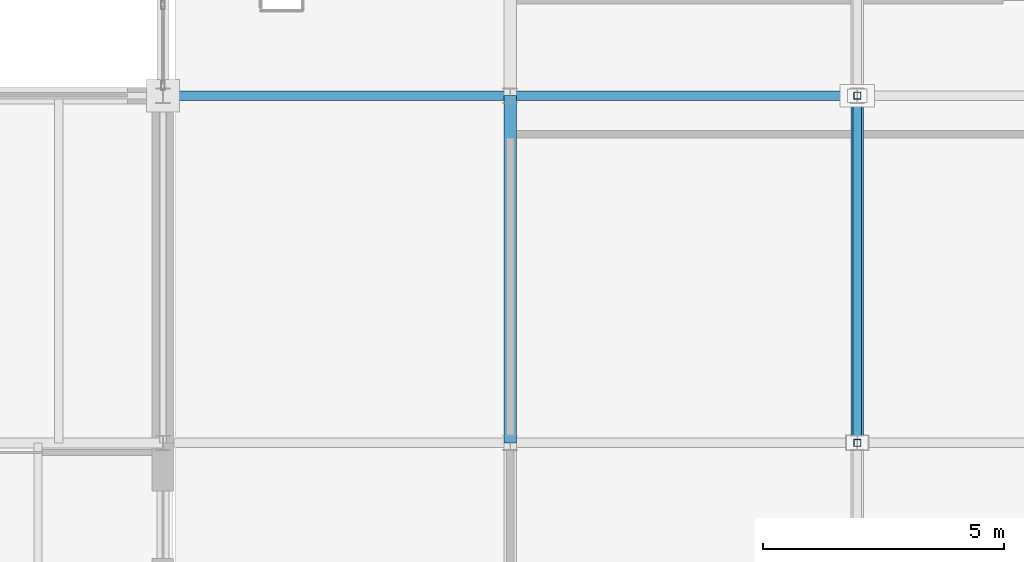
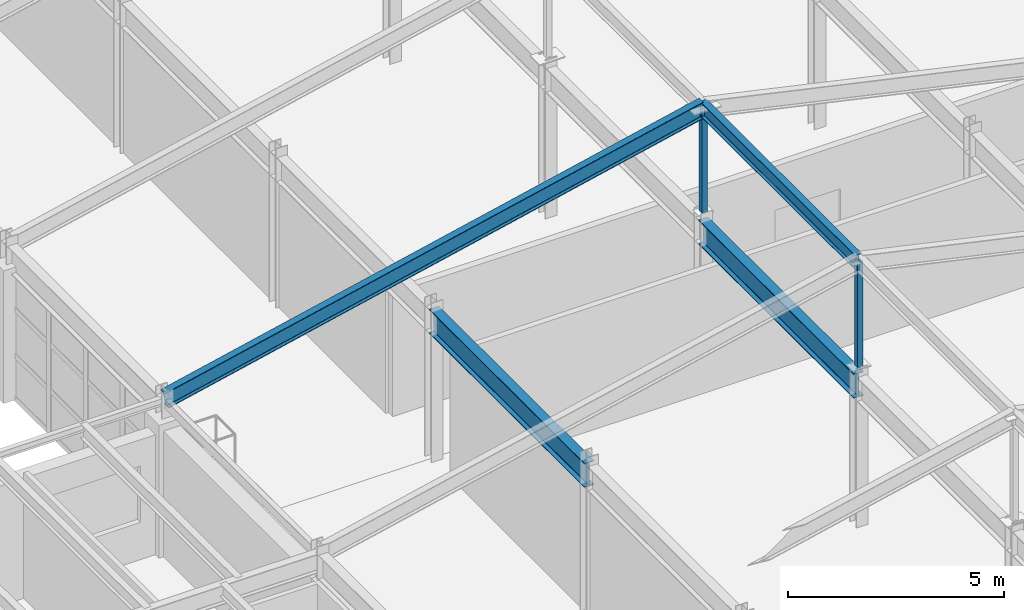
# One storey, part 79 of 137: 4 beams, 2 members.
"""IFC4 building model written with IfcOpenShell, lengths in metres."""

from ifc_helpers import new_model, si_unit, direction, frame, origin, origin_2d, place, context, subcontext, project, spatial, hollow_rectangle, i_section, extrude, material, material_profile, profile_set, type_object, element, save


model = new_model("IFC4")

# Units and contexts
model_context = context("Model", 3, precision=1e-05, world=origin(), true_north=direction((0.0, 1.0)))
body_context = subcontext(model_context, "Body", "Model", "MODEL_VIEW")
ifc_project = project(units=[si_unit("LENGTHUNIT", "METRE"), si_unit("AREAUNIT", "SQUARE_METRE"), si_unit("VOLUMEUNIT", "CUBIC_METRE"), si_unit("PLANEANGLEUNIT", "RADIAN"), si_unit("MASSUNIT", "GRAM", prefix="KILO")], contexts=[model_context])

# Site, building, storey
site_placement = place(None, origin())
site = spatial("IfcSite", under=ifc_project, at=site_placement, CompositionType="ELEMENT")
building_placement = place(site_placement, origin())
building = spatial("IfcBuilding", under=site, at=building_placement, Name="Kemerveld Promenade Tramway Depot", CompositionType="ELEMENT")
storey_placement = place(building_placement, frame((0.0, 0.0, 5.39990234375)))
storey = spatial("IfcBuildingStorey", under=building, at=storey_placement, Name="L01", CompositionType="ELEMENT", Elevation=5.39990234375)

# Beams
ifc_material = material(Name="Steel S355", Category="steel")
ifc_material_profile_1 = material_profile(ifc_material, i_section(OverallWidth=0.25439453125, OverallDepth=0.6875, WebThickness=0.01318359375, FlangeThickness=0.02099609375, FilletRadius=0.01513671875, at=origin_2d()), Name="686x254x152 UB")
ifc_profile_set_1 = profile_set([ifc_material_profile_1], Name="Steel S355")
beam_type_1 = type_object("IfcBeamType", Name="BM-G03", PredefinedType="BEAM", material=ifc_profile_set_1)
for number, where, z_axis, x_axis, name in (
    (1, (165.60009765625, 21.60009765625, 3.896484375), (0.0, 1.0, 0.0), (-1.0, 0.0, 0.0), "BMY-L01-24-D-E"),
    (2, (172.800048828125, 21.60009765625, 3.896484375), (0.0, 1.0, 0.0), (-1.0, 0.0, 0.0), "BMY-L01-25-D-E"),
):
    element("IfcBeam", number, at=place(storey_placement, frame(where, z_axis=z_axis, x_axis=x_axis)), inside=storey, type_object=beam_type_1, Name=name, PredefinedType="BEAM", context=body_context, shape_type="SweptSolid", body=[
        extrude(i_section(OverallWidth=0.25439453125, OverallDepth=0.6875, WebThickness=0.01318359375, FlangeThickness=0.02099609375, FilletRadius=0.01513671875, at=origin_2d()), origin(), (0.0, 0.0, 1.0), 7.199951171875),
    ])
ifc_material_profile_2 = material_profile(ifc_material, i_section(OverallWidth=0.19140625, OverallDepth=0.4599609375, WebThickness=0.010009765625, FlangeThickness=0.01611328125, FilletRadius=0.01025390625, at=origin_2d()), Name="457x191x82 UB")
ifc_profile_set_2 = profile_set([ifc_material_profile_2], Name="Steel S355")
beam_type_2 = type_object("IfcBeamType", Name="BM-G06", PredefinedType="BEAM", material=ifc_profile_set_2)
beam_1_placement = place(storey_placement, frame((158.39990234375, 28.800048828125, 4.175048828125), z_axis=(0.976188228429, 0.0, 0.216925200651), x_axis=(0.0, 1.0, 0.0)))
element("IfcBeam", 3, at=beam_1_placement, inside=storey, type_object=beam_type_2, Name="RAF-V2W-E-A", PredefinedType="BEAM", context=body_context, shape_type="SweptSolid", body=[
    extrude(i_section(OverallWidth=0.19140625, OverallDepth=0.4599609375, WebThickness=0.010009765625, FlangeThickness=0.01611328125, FilletRadius=0.01025390625, at=origin_2d()), origin(), (0.0, 0.0, 1.0), 14.75146484375),
])
ifc_material_profile_3 = material_profile(ifc_material, i_section(OverallWidth=0.1787109375, OverallDepth=0.409423828125, WebThickness=0.0087890625, FlangeThickness=0.014404296875, FilletRadius=0.01025390625, at=origin_2d()), Name="406x178x67 UB")
ifc_profile_set_3 = profile_set([ifc_material_profile_3], Name="Steel S355")
beam_type_3 = type_object("IfcBeamType", Name="BM-G07", PredefinedType="BEAM", material=ifc_profile_set_3)
beam_2_placement = place(storey_placement, frame((172.800048828125, 21.60009765625, 7.375), z_axis=(0.0, 1.0, 0.0), x_axis=(-1.0, 0.0, 0.0)))
element("IfcBeam", 4, at=beam_2_placement, inside=storey, type_object=beam_type_3, Name="BM-RDG-V2-4", PredefinedType="BEAM", context=body_context, shape_type="SweptSolid", body=[
    extrude(i_section(OverallWidth=0.1787109375, OverallDepth=0.409423828125, WebThickness=0.0087890625, FlangeThickness=0.014404296875, FilletRadius=0.01025390625, at=origin_2d()), origin(), (0.0, 0.0, 1.0), 7.199951171875),
])

# Members
ifc_material_profile_4 = material_profile(ifc_material, hollow_rectangle(XDim=0.14990234375, YDim=0.14990234375, WallThickness=0.008056640625, InnerFilletRadius=0.00390625, OuterFilletRadius=0.011962890625, at=origin_2d()), Name="150x150x8.0 SHS")
ifc_profile_set_4 = profile_set([ifc_material_profile_4], Name="Steel S355")
member_type = type_object("IfcMemberType", Name="MB-TP2", PredefinedType="POST", material=ifc_profile_set_4)
for number, where, z_axis, x_axis, name in (
    (5, (172.800048828125, 21.60009765625, 4.4501953125), (0.0, 0.0, 1.0), (1.0, 0.0, 0.0), "POST-RDG-V2-D"),
    (6, (172.800048828125, 28.800048828125, 4.4501953125), (0.0, 0.0, 1.0), (1.0, 0.0, 0.0), "POST-RDG-V2-E"),
):
    element("IfcMember", number, at=place(storey_placement, frame(where, z_axis=z_axis, x_axis=x_axis)), inside=storey, type_object=member_type, Name=name, PredefinedType="POST", context=body_context, shape_type="SweptSolid", body=[
        extrude(hollow_rectangle(XDim=0.14990234375, YDim=0.14990234375, WallThickness=0.008056640625, InnerFilletRadius=0.00390625, OuterFilletRadius=0.011962890625, at=origin_2d()), origin(), (0.0, 0.0, 1.0), 2.96484375),
    ])

save(model, "model.ifc")
